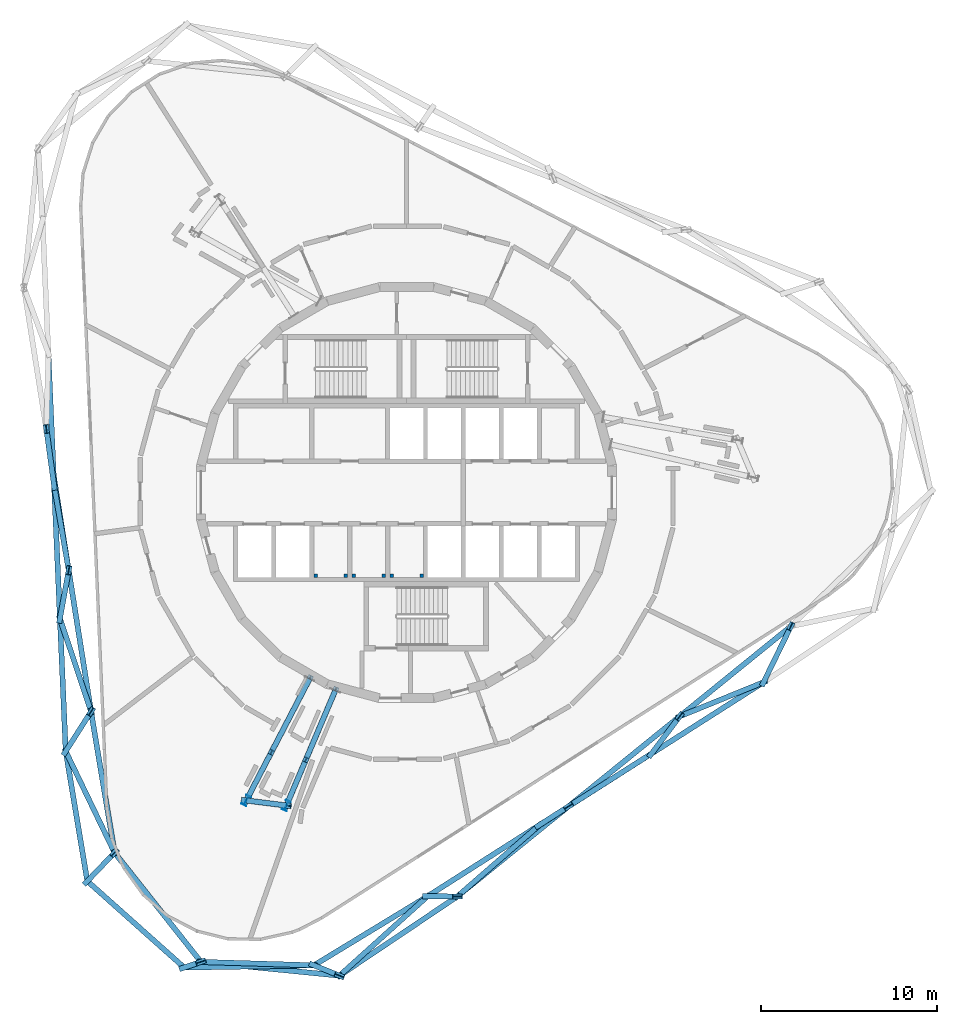
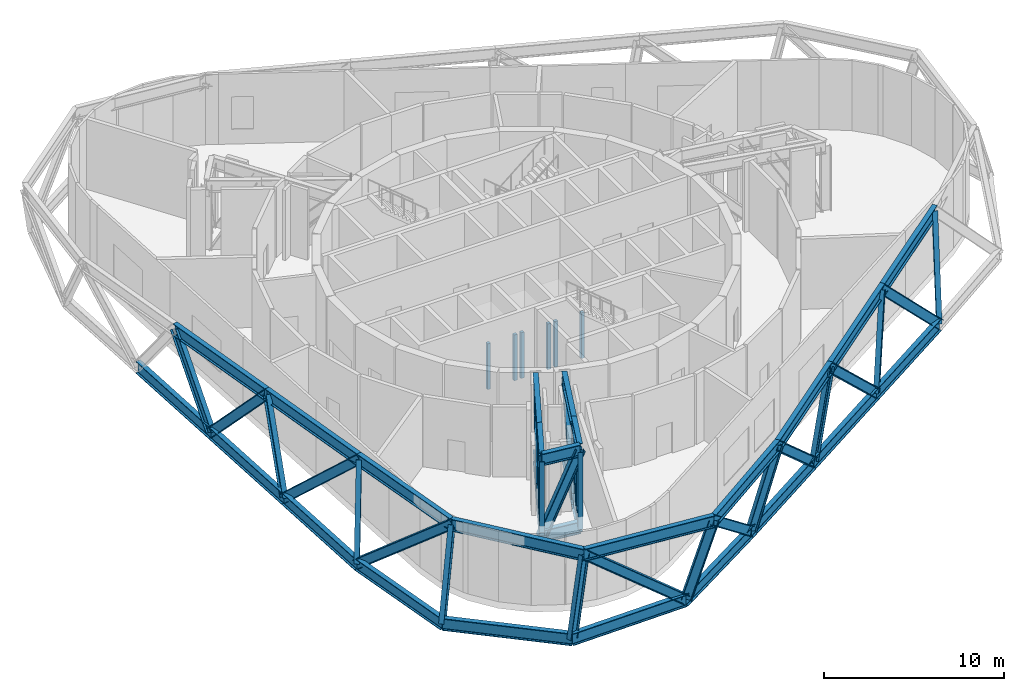
# One storey, part 1 of 12: 54 members, 6 columns.
"""IFC4 building model written with IfcOpenShell, lengths in metres."""

from ifc_helpers import new_model, si_unit, direction, frame, origin, origin_2d, place, context, subcontext, project, spatial, rectangle, i_section, extrude, material, material_profile, profile_set, type_object, element, save


model = new_model("IFC4")

# Units and contexts
model_context = context("Model", 3, precision=1e-05, world=origin(), true_north=direction((0.0, 1.0)))
body_context = subcontext(model_context, "Body", "Model", "MODEL_VIEW")
ifc_project = project(units=[si_unit("LENGTHUNIT", "METRE"), si_unit("AREAUNIT", "SQUARE_METRE"), si_unit("VOLUMEUNIT", "CUBIC_METRE"), si_unit("PLANEANGLEUNIT", "RADIAN"), si_unit("MASSUNIT", "GRAM", prefix="KILO")], contexts=[model_context])

# Site, building, storey
site_placement = place(None, origin())
site = spatial("IfcSite", under=ifc_project, at=site_placement, CompositionType="ELEMENT")
building_placement = place(site_placement, origin())
building = spatial("IfcBuilding", under=site, at=building_placement, Name="Spindle Arch Residences", CompositionType="ELEMENT")
storey_placement = place(building_placement, frame((0.0, 0.0, 258.199951171875)))
storey = spatial("IfcBuildingStorey", under=building, at=storey_placement, Name="L66", CompositionType="ELEMENT", Elevation=258.199951171875)

# Columns
ifc_material_1 = material(Name="Concrete C50/60", Category="concrete")
ifc_material_profile_1 = material_profile(ifc_material_1, rectangle(XDim=0.199951171875, YDim=0.199951171875, at=origin_2d()), Name="RC 200x200")
ifc_profile_set_1 = profile_set([ifc_material_profile_1], Name="Concrete C50/60")
column_type = type_object("IfcColumnType", Name="Pit pier 200x200", PredefinedType="COLUMN", material=ifc_profile_set_1)
for number, where, z_axis, x_axis, name in (
    (1, (-5.14990234375, -4.699951171875, 0.0), (0.0, 0.0, 1.0), (1.0, 0.0, 0.0), "Pit pier H1-1"),
    (2, (-3.449951171875, -4.699951171875, 0.0), (0.0, 0.0, 1.0), (1.0, 0.0, 0.0), "Pit pier H1-2"),
    (3, (-3.0, -4.699951171875, 0.0), (0.0, 0.0, 1.0), (1.0, 0.0, 0.0), "Pit pier H2-1"),
    (4, (-1.300048828125, -4.699951171875, 0.0), (0.0, 0.0, 1.0), (1.0, 0.0, 0.0), "Pit pier H2-2"),
    (5, (-0.85009765625, -4.699951171875, 0.0), (0.0, 0.0, 1.0), (1.0, 0.0, 0.0), "Pit pier H3-1"),
    (6, (0.85009765625, -4.699951171875, 0.0), (0.0, 0.0, 1.0), (1.0, 0.0, 0.0), "Pit pier H3-2"),
):
    element("IfcColumn", number, at=place(storey_placement, frame(where, z_axis=z_axis, x_axis=x_axis)), inside=storey, type_object=column_type, Name=name, PredefinedType="COLUMN", context=body_context, shape_type="SweptSolid", body=[
        extrude(rectangle(XDim=0.199951171875, YDim=0.199951171875, at=origin_2d()), origin(), (0.0, 0.0, 1.0), 3.10009765625),
    ])

# Members
ifc_material_2 = material(Name="Steel S460ML, intumescent coating R 240", Category="steel")
ifc_material_profile_2 = material_profile(ifc_material_2, i_section(OverallWidth=0.302978515625, OverallDepth=0.81396484375, WebThickness=0.02099609375, FlangeThickness=0.0400390625, FilletRadius=0.030029296875, at=origin_2d()), Name="HEM 800")
ifc_profile_set_2 = profile_set([ifc_material_profile_2], Name="Steel S460ML, intumescent coating R 240")
member_type_1 = type_object("IfcMemberType", Name="Belt truss chord HEM 800", PredefinedType="CHORD", material=ifc_profile_set_2)
for number, where, z_axis, x_axis, name in (
    (7, (13.885986328125, -14.78955078125, -0.85693359375), (0.843393042763, 0.537297101629, 0.0), (-0.537297101629, 0.843393042763, 0.0), "Belt truss bottom chord L66.1"),
    (8, (-20.298583984375, 7.9072265625, -0.85693359375), (0.043607469261, -0.999048741866, 0.0), (0.999048741866, 0.043607469261, 0.0), "Belt truss bottom chord L66.14"),
    (9, (-19.97021484375, 0.38427734375, -0.85693359375), (0.043639829449, -0.999047328852, 0.0), (0.999047328852, 0.043639829449, 0.0), "Belt truss bottom chord L66.15"),
    (10, (-19.6416015625, -7.138671875, -0.85693359375), (0.043607469261, -0.999048741866, 0.0), (0.999048741866, 0.043607469261, 0.0), "Belt truss bottom chord L66.16"),
):
    element("IfcMember", number, at=place(storey_placement, frame(where, z_axis=z_axis, x_axis=x_axis)), inside=storey, type_object=member_type_1, Name=name, PredefinedType="CHORD", context=body_context, shape_type="SweptSolid", body=[
        extrude(i_section(OverallWidth=0.302978515625, OverallDepth=0.81396484375, WebThickness=0.02099609375, FlangeThickness=0.0400390625, FilletRadius=0.030029296875, at=origin_2d()), origin(), (0.0, 0.0, 1.0), 7.530029296875),
    ])
member_1_placement = place(storey_placement, frame((-19.313232421875, -14.66162109375, -0.85693359375), z_axis=(0.164181276157, -0.986430184331, 0.0), x_axis=(0.986430184331, 0.164181276157, 0.0)))
element("IfcMember", 11, at=member_1_placement, inside=storey, type_object=member_type_1, Name="Belt truss bottom chord L66.17", PredefinedType="CHORD", context=body_context, shape_type="SweptSolid", body=[
    extrude(i_section(OverallWidth=0.302978515625, OverallDepth=0.81396484375, WebThickness=0.02099609375, FlangeThickness=0.0400390625, FilletRadius=0.030029296875, at=origin_2d()), origin(), (0.0, 0.0, 1.0), 7.455810546875),
])
for number, where, z_axis, x_axis, name in (
    (12, (-18.089111328125, -22.016357421875, -0.85693359375), (0.746197856077, -0.665724236892, 0.0), (0.665724236892, 0.746197856077, 0.0), "Belt truss bottom chord L66.18"),
    (13, (-12.599365234375, -26.9140625, -0.85693359375), (0.999854520031, 0.017056927424, 0.0), (-0.017056927424, 0.999854520031, 0.0), "Belt truss bottom chord L66.19"),
):
    element("IfcMember", number, at=place(storey_placement, frame(where, z_axis=z_axis, x_axis=x_axis)), inside=storey, type_object=member_type_1, Name=name, PredefinedType="CHORD", context=body_context, shape_type="SweptSolid", body=[
        extrude(i_section(OverallWidth=0.302978515625, OverallDepth=0.81396484375, WebThickness=0.02099609375, FlangeThickness=0.0400390625, FilletRadius=0.030029296875, at=origin_2d()), origin(), (0.0, 0.0, 1.0), 7.35693359375),
    ])
member_2_placement = place(storey_placement, frame((-5.243408203125, -26.78857421875, -0.85693359375), z_axis=(0.854520529172, 0.519417621211, 0.0), x_axis=(-0.519417621211, 0.854520529172, 0.0)))
element("IfcMember", 14, at=member_2_placement, inside=storey, type_object=member_type_1, Name="Belt truss bottom chord L66.20", PredefinedType="CHORD", context=body_context, shape_type="SweptSolid", body=[
    extrude(i_section(OverallWidth=0.302978515625, OverallDepth=0.81396484375, WebThickness=0.02099609375, FlangeThickness=0.0400390625, FilletRadius=0.030029296875, at=origin_2d()), origin(), (0.0, 0.0, 1.0), 7.522216796875),
])
member_3_placement = place(storey_placement, frame((1.1845703125, -22.88134765625, -0.85693359375), z_axis=(0.843393042763, 0.537297101629, 0.0), x_axis=(-0.537297101629, 0.843393042763, 0.0)))
element("IfcMember", 15, at=member_3_placement, inside=storey, type_object=member_type_1, Name="Belt truss bottom chord L66.21", PredefinedType="CHORD", context=body_context, shape_type="SweptSolid", body=[
    extrude(i_section(OverallWidth=0.302978515625, OverallDepth=0.81396484375, WebThickness=0.02099609375, FlangeThickness=0.0400390625, FilletRadius=0.030029296875, at=origin_2d()), origin(), (0.0, 0.0, 1.0), 7.530029296875),
])
member_4_placement = place(storey_placement, frame((7.535400390625, -18.83544921875, -0.85693359375), z_axis=(0.843383682536, 0.537311794056, 0.0), x_axis=(-0.537311794056, 0.843383682536, 0.0)))
element("IfcMember", 16, at=member_4_placement, inside=storey, type_object=member_type_1, Name="Belt truss bottom chord L66.22", PredefinedType="CHORD", context=body_context, shape_type="SweptSolid", body=[
    extrude(i_section(OverallWidth=0.302978515625, OverallDepth=0.81396484375, WebThickness=0.02099609375, FlangeThickness=0.0400390625, FilletRadius=0.030029296875, at=origin_2d()), origin(), (0.0, 0.0, 1.0), 7.52978515625),
])
for number, where, z_axis, x_axis, name in (
    (17, (15.48291015625, -12.67822265625, 4.343017578125), (0.777144581934, 0.629322094615, 0.0), (-0.629322094615, 0.777144581934, 0.0), "Belt truss top chord L66.1"),
    (18, (-20.412353515625, 3.607666015625, 4.343017578125), (0.156463557124, -0.987683732423, 0.0), (0.987683732423, 0.156463557124, 0.0), "Belt truss top chord L66.13"),
    (19, (-19.143798828125, -4.400146484375, 4.343017578125), (0.156434181782, -0.987688385459, 0.0), (0.987688385459, 0.156434181782, 0.0), "Belt truss top chord L66.14"),
):
    element("IfcMember", number, at=place(storey_placement, frame(where, z_axis=z_axis, x_axis=x_axis)), inside=storey, type_object=member_type_1, Name=name, PredefinedType="CHORD", context=body_context, shape_type="SweptSolid", body=[
        extrude(i_section(OverallWidth=0.302978515625, OverallDepth=0.81396484375, WebThickness=0.02099609375, FlangeThickness=0.0400390625, FilletRadius=0.030029296875, at=origin_2d()), origin(), (0.0, 0.0, 1.0), 8.107666015625),
    ])
member_5_placement = place(storey_placement, frame((-17.87548828125, -12.407958984375, 4.343017578125), z_axis=(0.163944723379, -0.986469526988, 0.0), x_axis=(0.986469526988, 0.163944723379, 0.0)))
element("IfcMember", 20, at=member_5_placement, inside=storey, type_object=member_type_1, Name="Belt truss top chord L66.15", PredefinedType="CHORD", context=body_context, shape_type="SweptSolid", body=[
    extrude(i_section(OverallWidth=0.302978515625, OverallDepth=0.81396484375, WebThickness=0.02099609375, FlangeThickness=0.0400390625, FilletRadius=0.030029296875, at=origin_2d()), origin(), (0.0, 0.0, 1.0), 8.10546875),
])
member_6_placement = place(storey_placement, frame((-16.546630859375, -20.40380859375, 4.343017578125), z_axis=(0.62028604963, -0.784375685902, 0.0), x_axis=(0.784375685902, 0.62028604963, 0.0)))
element("IfcMember", 21, at=member_6_placement, inside=storey, type_object=member_type_1, Name="Belt truss top chord L66.16", PredefinedType="CHORD", context=body_context, shape_type="SweptSolid", body=[
    extrude(i_section(OverallWidth=0.302978515625, OverallDepth=0.81396484375, WebThickness=0.02099609375, FlangeThickness=0.0400390625, FilletRadius=0.030029296875, at=origin_2d()), origin(), (0.0, 0.0, 1.0), 7.8916015625),
])
member_7_placement = place(storey_placement, frame((-11.651611328125, -26.59375, 4.343017578125), z_axis=(0.995109517172, -0.098777774997, 0.0), x_axis=(0.098777774997, 0.995109517172, 0.0)))
element("IfcMember", 22, at=member_7_placement, inside=storey, type_object=member_type_1, Name="Belt truss top chord L66.17", PredefinedType="CHORD", context=body_context, shape_type="SweptSolid", body=[
    extrude(i_section(OverallWidth=0.302978515625, OverallDepth=0.81396484375, WebThickness=0.02099609375, FlangeThickness=0.0400390625, FilletRadius=0.030029296875, at=origin_2d()), origin(), (0.0, 0.0, 1.0), 7.891845703125),
])
member_8_placement = place(storey_placement, frame((-3.79833984375, -27.373291015625, 4.343017578125), z_axis=(0.829902137113, 0.557908991517, 0.0), x_axis=(-0.557908991517, 0.829902137113, 0.0)))
element("IfcMember", 23, at=member_8_placement, inside=storey, type_object=member_type_1, Name="Belt truss top chord L66.18", PredefinedType="CHORD", context=body_context, shape_type="SweptSolid", body=[
    extrude(i_section(OverallWidth=0.302978515625, OverallDepth=0.81396484375, WebThickness=0.02099609375, FlangeThickness=0.0400390625, FilletRadius=0.030029296875, at=origin_2d()), origin(), (0.0, 0.0, 1.0), 8.048828125),
])
for number, where, z_axis, x_axis, name in (
    (24, (2.88134765625, -22.8828125, 4.343017578125), (0.777144581934, 0.629322094615, 0.0), (-0.629322094615, 0.777144581934, 0.0), "Belt truss top chord L66.19"),
    (25, (9.18212890625, -17.780517578125, 4.343017578125), (0.777144581934, 0.629322094615, 0.0), (-0.629322094615, 0.777144581934, 0.0), "Belt truss top chord L66.20"),
):
    element("IfcMember", number, at=place(storey_placement, frame(where, z_axis=z_axis, x_axis=x_axis)), inside=storey, type_object=member_type_1, Name=name, PredefinedType="CHORD", context=body_context, shape_type="SweptSolid", body=[
        extrude(i_section(OverallWidth=0.302978515625, OverallDepth=0.81396484375, WebThickness=0.02099609375, FlangeThickness=0.0400390625, FilletRadius=0.030029296875, at=origin_2d()), origin(), (0.0, 0.0, 1.0), 8.107666015625),
    ])
ifc_material_3 = material(Name="Steel S460ML, intumescent coating R 240", Category="steel")
ifc_material_profile_3 = material_profile(ifc_material_3, i_section(OverallWidth=0.300048828125, OverallDepth=0.60009765625, WebThickness=0.015380859375, FlangeThickness=0.030029296875, FilletRadius=0.027099609375, at=origin_2d()), Name="HEB 600")
ifc_profile_set_3 = profile_set([ifc_material_profile_3], Name="Steel S460ML, intumescent coating R 240")
member_type_2 = type_object("IfcMemberType", Name="Belt truss diagonal HEB 600", PredefinedType="BRACE", material=ifc_profile_set_3)
member_9_placement = place(storey_placement, frame((13.885986328125, -14.78955078125, -0.85693359375), z_axis=(0.27367961612, 0.36183784134, 0.891163758405), x_axis=(-0.797558682919, 0.603241367365, 0.0)))
element("IfcMember", 26, at=member_9_placement, inside=storey, type_object=member_type_2, Name="Belt truss diagonal L66.1.1", PredefinedType="BRACE", context=body_context, shape_type="SweptSolid", body=[
    extrude(i_section(OverallWidth=0.300048828125, OverallDepth=0.60009765625, WebThickness=0.015380859375, FlangeThickness=0.030029296875, FilletRadius=0.027099609375, at=origin_2d()), origin(), (0.0, 0.0, 1.0), 5.8349609375),
])
member_10_placement = place(storey_placement, frame((20.23681640625, -10.74365234375, -0.85693359375), z_axis=(-0.650660582622, -0.264781966757, 0.711710135028), x_axis=(0.376928178074, -0.926242489078, 0.0)))
element("IfcMember", 27, at=member_10_placement, inside=storey, type_object=member_type_2, Name="Belt truss diagonal L66.1.2", PredefinedType="BRACE", context=body_context, shape_type="SweptSolid", body=[
    extrude(i_section(OverallWidth=0.300048828125, OverallDepth=0.60009765625, WebThickness=0.015380859375, FlangeThickness=0.030029296875, FilletRadius=0.027099609375, at=origin_2d()), origin(), (0.0, 0.0, 1.0), 7.306396484375),
])
member_11_placement = place(storey_placement, frame((20.23681640625, -10.74365234375, -0.85693359375), z_axis=(0.246229054864, 0.504233268129, 0.82771979791), x_axis=(-0.898584662737, 0.438800186752, 0.0)))
element("IfcMember", 28, at=member_11_placement, inside=storey, type_object=member_type_2, Name="Belt truss diagonal L66.2.2", PredefinedType="BRACE", context=body_context, shape_type="SweptSolid", body=[
    extrude(i_section(OverallWidth=0.300048828125, OverallDepth=0.60009765625, WebThickness=0.015380859375, FlangeThickness=0.030029296875, FilletRadius=0.027099609375, at=origin_2d()), origin(), (0.0, 0.0, 1.0), 6.2822265625),
])
member_12_placement = place(storey_placement, frame((-19.97021484375, 0.38427734375, -0.85693359375), z_axis=(-0.072080703536, 0.525500568073, 0.847734348208), x_axis=(-0.990723468591, -0.135893372841, 0.0)))
element("IfcMember", 29, at=member_12_placement, inside=storey, type_object=member_type_2, Name="Belt truss diagonal L66.13.15", PredefinedType="BRACE", context=body_context, shape_type="SweptSolid", body=[
    extrude(i_section(OverallWidth=0.300048828125, OverallDepth=0.60009765625, WebThickness=0.015380859375, FlangeThickness=0.030029296875, FilletRadius=0.027099609375, at=origin_2d()), origin(), (0.0, 0.0, 1.0), 6.134033203125),
])
member_13_placement = place(storey_placement, frame((-19.97021484375, 0.38427734375, -0.85693359375), z_axis=(0.116162772393, -0.672508670779, 0.73091606771), x_axis=(0.985407811345, 0.170210003644, 0.0)))
element("IfcMember", 30, at=member_13_placement, inside=storey, type_object=member_type_2, Name="Belt truss diagonal L66.14.15", PredefinedType="BRACE", context=body_context, shape_type="SweptSolid", body=[
    extrude(i_section(OverallWidth=0.300048828125, OverallDepth=0.60009765625, WebThickness=0.015380859375, FlangeThickness=0.030029296875, FilletRadius=0.027099609375, at=origin_2d()), origin(), (0.0, 0.0, 1.0), 7.1142578125),
])
member_14_placement = place(storey_placement, frame((-19.6416015625, -7.138671875, -0.85693359375), z_axis=(0.084401449683, 0.464311457132, 0.881641234328), x_axis=(-0.983876926384, 0.178846844334, 0.0)))
element("IfcMember", 31, at=member_14_placement, inside=storey, type_object=member_type_2, Name="Belt truss diagonal L66.14.16", PredefinedType="BRACE", context=body_context, shape_type="SweptSolid", body=[
    extrude(i_section(OverallWidth=0.300048828125, OverallDepth=0.60009765625, WebThickness=0.015380859375, FlangeThickness=0.030029296875, FilletRadius=0.027099609375, at=origin_2d()), origin(), (0.0, 0.0, 1.0), 5.89794921875),
])
member_15_placement = place(storey_placement, frame((-19.6416015625, -7.138671875, -0.85693359375), z_axis=(0.232054050268, -0.692344839223, 0.683234616625), x_axis=(0.948159224751, 0.317795664729, 0.0)))
element("IfcMember", 32, at=member_15_placement, inside=storey, type_object=member_type_2, Name="Belt truss diagonal L66.15.16", PredefinedType="BRACE", context=body_context, shape_type="SweptSolid", body=[
    extrude(i_section(OverallWidth=0.300048828125, OverallDepth=0.60009765625, WebThickness=0.015380859375, FlangeThickness=0.030029296875, FilletRadius=0.027099609375, at=origin_2d()), origin(), (0.0, 0.0, 1.0), 7.61083984375),
])
member_16_placement = place(storey_placement, frame((-19.313232421875, -14.66162109375, -0.85693359375), z_axis=(0.245900858805, 0.385449283008, 0.889360229529), x_axis=(-0.843051730945, 0.537832482238, 0.0)))
element("IfcMember", 33, at=member_16_placement, inside=storey, type_object=member_type_2, Name="Belt truss diagonal L66.15.17", PredefinedType="BRACE", context=body_context, shape_type="SweptSolid", body=[
    extrude(i_section(OverallWidth=0.300048828125, OverallDepth=0.60009765625, WebThickness=0.015380859375, FlangeThickness=0.030029296875, FilletRadius=0.027099609375, at=origin_2d()), origin(), (0.0, 0.0, 1.0), 5.846923828125),
])
member_17_placement = place(storey_placement, frame((-19.313232421875, -14.66162109375, -0.85693359375), z_axis=(0.336325985338, -0.698057463392, 0.632139707176), x_axis=(0.900888521337, 0.434050540978, 0.0)))
element("IfcMember", 34, at=member_17_placement, inside=storey, type_object=member_type_2, Name="Belt truss diagonal L66.16.17", PredefinedType="BRACE", context=body_context, shape_type="SweptSolid", body=[
    extrude(i_section(OverallWidth=0.300048828125, OverallDepth=0.60009765625, WebThickness=0.015380859375, FlangeThickness=0.030029296875, FilletRadius=0.027099609375, at=origin_2d()), origin(), (0.0, 0.0, 1.0), 8.22607421875),
])
member_18_placement = place(storey_placement, frame((-18.089111328125, -22.016357421875, -0.85693359375), z_axis=(0.272593464619, 0.284976232005, 0.918956663962), x_axis=(-0.72263235283, 0.691232582162, 0.0)))
element("IfcMember", 35, at=member_18_placement, inside=storey, type_object=member_type_2, Name="Belt truss diagonal L66.16.18", PredefinedType="BRACE", context=body_context, shape_type="SweptSolid", body=[
    extrude(i_section(OverallWidth=0.300048828125, OverallDepth=0.60009765625, WebThickness=0.015380859375, FlangeThickness=0.030029296875, FilletRadius=0.027099609375, at=origin_2d()), origin(), (0.0, 0.0, 1.0), 5.658447265625),
])
member_19_placement = place(storey_placement, frame((-12.599365234375, -26.9140625, -0.85693359375), z_axis=(0.178979802606, 0.060489825095, 0.981991451755), x_axis=(-0.320178443021, 0.947357252901, 0.0)))
element("IfcMember", 36, at=member_19_placement, inside=storey, type_object=member_type_2, Name="Belt truss diagonal L66.17.19", PredefinedType="BRACE", context=body_context, shape_type="SweptSolid", body=[
    extrude(i_section(OverallWidth=0.300048828125, OverallDepth=0.60009765625, WebThickness=0.015380859375, FlangeThickness=0.030029296875, FilletRadius=0.027099609375, at=origin_2d()), origin(), (0.0, 0.0, 1.0), 5.29541015625),
])
member_20_placement = place(storey_placement, frame((-5.243408203125, -26.78857421875, -0.85693359375), z_axis=(-0.776295711761, 0.023601187823, 0.629926941664), x_axis=(-0.030388275656, -0.999538169708, 0.0)))
element("IfcMember", 37, at=member_20_placement, inside=storey, type_object=member_type_2, Name="Belt truss diagonal L66.17.20", PredefinedType="BRACE", context=body_context, shape_type="SweptSolid", body=[
    extrude(i_section(OverallWidth=0.300048828125, OverallDepth=0.60009765625, WebThickness=0.015380859375, FlangeThickness=0.030029296875, FilletRadius=0.027099609375, at=origin_2d()), origin(), (0.0, 0.0, 1.0), 8.2548828125),
])
member_21_placement = place(storey_placement, frame((-5.243408203125, -26.78857421875, -0.85693359375), z_axis=(0.266195806119, -0.107710585514, 0.957882154846), x_axis=(0.375087024666, 0.926989602923, 0.0)))
element("IfcMember", 38, at=member_21_placement, inside=storey, type_object=member_type_2, Name="Belt truss diagonal L66.18.20", PredefinedType="BRACE", context=body_context, shape_type="SweptSolid", body=[
    extrude(i_section(OverallWidth=0.300048828125, OverallDepth=0.60009765625, WebThickness=0.015380859375, FlangeThickness=0.030029296875, FilletRadius=0.027099609375, at=origin_2d()), origin(), (0.0, 0.0, 1.0), 5.4287109375),
])
member_22_placement = place(storey_placement, frame((1.1845703125, -22.88134765625, -0.85693359375), z_axis=(-0.587052295833, -0.529209955465, 0.612622579566), x_axis=(0.669567685825, -0.742751044496, 0.0)))
element("IfcMember", 39, at=member_22_placement, inside=storey, type_object=member_type_2, Name="Belt truss diagonal L66.18.21", PredefinedType="BRACE", context=body_context, shape_type="SweptSolid", body=[
    extrude(i_section(OverallWidth=0.300048828125, OverallDepth=0.60009765625, WebThickness=0.015380859375, FlangeThickness=0.030029296875, FilletRadius=0.027099609375, at=origin_2d()), origin(), (0.0, 0.0, 1.0), 8.488037109375),
])
member_23_placement = place(storey_placement, frame((1.1845703125, -22.88134765625, -0.85693359375), z_axis=(0.310209149175, -0.00026780646, 0.950668297593), x_axis=(0.000863309031, 0.999999627349, 0.0)))
element("IfcMember", 40, at=member_23_placement, inside=storey, type_object=member_type_2, Name="Belt truss diagonal L66.19.21", PredefinedType="BRACE", context=body_context, shape_type="SweptSolid", body=[
    extrude(i_section(OverallWidth=0.300048828125, OverallDepth=0.60009765625, WebThickness=0.015380859375, FlangeThickness=0.030029296875, FilletRadius=0.027099609375, at=origin_2d()), origin(), (0.0, 0.0, 1.0), 5.4697265625),
])
member_24_placement = place(storey_placement, frame((7.535400390625, -18.83544921875, -0.85693359375), z_axis=(-0.576905522637, -0.501701712966, 0.644573819789), x_axis=(0.656212034139, -0.754576547641, 0.0)))
element("IfcMember", 41, at=member_24_placement, inside=storey, type_object=member_type_2, Name="Belt truss diagonal L66.19.22", PredefinedType="BRACE", context=body_context, shape_type="SweptSolid", body=[
    extrude(i_section(OverallWidth=0.300048828125, OverallDepth=0.60009765625, WebThickness=0.015380859375, FlangeThickness=0.030029296875, FilletRadius=0.027099609375, at=origin_2d()), origin(), (0.0, 0.0, 1.0), 8.0673828125),
])
member_25_placement = place(storey_placement, frame((7.535400390625, -18.83544921875, -0.85693359375), z_axis=(0.296411659916, 0.189888032987, 0.935992875397), x_axis=(-0.539425607672, 0.842033261687, 0.0)))
element("IfcMember", 42, at=member_25_placement, inside=storey, type_object=member_type_2, Name="Belt truss diagonal L66.20.22", PredefinedType="BRACE", context=body_context, shape_type="SweptSolid", body=[
    extrude(i_section(OverallWidth=0.300048828125, OverallDepth=0.60009765625, WebThickness=0.015380859375, FlangeThickness=0.030029296875, FilletRadius=0.027099609375, at=origin_2d()), origin(), (0.0, 0.0, 1.0), 5.5556640625),
])
member_26_placement = place(storey_placement, frame((13.885986328125, -14.78955078125, -0.85693359375), z_axis=(-0.617053114841, -0.392355722734, 0.682130808792), x_axis=(0.536569386083, -0.843856204527, 0.0)))
element("IfcMember", 43, at=member_26_placement, inside=storey, type_object=member_type_2, Name="Belt truss diagonal L66.20.1", PredefinedType="BRACE", context=body_context, shape_type="SweptSolid", body=[
    extrude(i_section(OverallWidth=0.300048828125, OverallDepth=0.60009765625, WebThickness=0.015380859375, FlangeThickness=0.030029296875, FilletRadius=0.027099609375, at=origin_2d()), origin(), (0.0, 0.0, 1.0), 7.623046875),
])
ifc_material_4 = material(Name="Steel S460ML, intumescent coating R 240", Category="steel")
ifc_material_profile_4 = material_profile(ifc_material_4, i_section(OverallWidth=0.302978515625, OverallDepth=0.81396484375, WebThickness=0.02099609375, FlangeThickness=0.0400390625, FilletRadius=0.030029296875, at=origin_2d()), Name="HEM 800")
ifc_profile_set_4 = profile_set([ifc_material_profile_4], Name="Steel S460ML, intumescent coating R 240")
member_type_3 = type_object("IfcMemberType", Name="Transfer truss chord HEM 800", PredefinedType="CHORD", material=ifc_profile_set_4)
for number, where, z_axis, x_axis, name in (
    (44, (-5.498779296875, -10.56298828125, -0.85693359375), (-0.461747311325, -0.887011510909, 0.0), (0.887011510909, -0.461747311325, 0.0), "Transfer truss chord L66"),
    (45, (-5.498779296875, -10.56298828125, 4.343017578125), (-0.461747311325, -0.887011510909, 0.0), (0.887011510909, -0.461747311325, 0.0), "Transfer truss chord L66"),
):
    element("IfcMember", number, at=place(storey_placement, frame(where, z_axis=z_axis, x_axis=x_axis)), inside=storey, type_object=member_type_3, Name=name, PredefinedType="CHORD", context=body_context, shape_type="SweptSolid", body=[
        extrude(i_section(OverallWidth=0.302978515625, OverallDepth=0.81396484375, WebThickness=0.02099609375, FlangeThickness=0.0400390625, FilletRadius=0.030029296875, at=origin_2d()), origin(), (0.0, 0.0, 1.0), 4.8115234375),
    ])
for number, where, z_axis, x_axis, name in (
    (46, (-7.720458984375, -14.830810546875, -0.85693359375), (-0.461759374134, -0.887005231326, 0.0), (0.887005231326, -0.461759374134, 0.0), "Transfer truss chord L66"),
    (47, (-7.720458984375, -14.830810546875, 4.343017578125), (-0.461759374134, -0.887005231326, 0.0), (0.887005231326, -0.461759374134, 0.0), "Transfer truss chord L66"),
):
    element("IfcMember", number, at=place(storey_placement, frame(where, z_axis=z_axis, x_axis=x_axis)), inside=storey, type_object=member_type_3, Name=name, PredefinedType="CHORD", context=body_context, shape_type="SweptSolid", body=[
        extrude(i_section(OverallWidth=0.302978515625, OverallDepth=0.81396484375, WebThickness=0.02099609375, FlangeThickness=0.0400390625, FilletRadius=0.030029296875, at=origin_2d()), origin(), (0.0, 0.0, 1.0), 2.94873046875),
    ])
for number, where, z_axis, x_axis, name in (
    (48, (-9.08203125, -17.4462890625, -0.85693359375), (0.992225376088, -0.124454019812, 0.0), (0.124454019812, 0.992225376088, 0.0), "Transfer truss chord L66"),
    (49, (-9.08203125, -17.4462890625, 4.343017578125), (0.992225376088, -0.124454019812, 0.0), (0.124454019812, 0.992225376088, 0.0), "Transfer truss chord L66"),
):
    element("IfcMember", number, at=place(storey_placement, frame(where, z_axis=z_axis, x_axis=x_axis)), inside=storey, type_object=member_type_3, Name=name, PredefinedType="CHORD", context=body_context, shape_type="SweptSolid", body=[
        extrude(i_section(OverallWidth=0.302978515625, OverallDepth=0.81396484375, WebThickness=0.02099609375, FlangeThickness=0.0400390625, FilletRadius=0.030029296875, at=origin_2d()), origin(), (0.0, 0.0, 1.0), 2.293212890625),
    ])
for number, where, z_axis, x_axis, name in (
    (50, (-4.045654296875, -11.23291015625, -0.85693359375), (-0.390989479864, -0.920395147008, 0.0), (0.920395147008, -0.390989479864, 0.0), "Transfer truss chord L66"),
    (51, (-4.045654296875, -11.23291015625, 4.343017578125), (-0.390989479864, -0.920395147008, 0.0), (0.920395147008, -0.390989479864, 0.0), "Transfer truss chord L66"),
):
    element("IfcMember", number, at=place(storey_placement, frame(where, z_axis=z_axis, x_axis=x_axis)), inside=storey, type_object=member_type_3, Name=name, PredefinedType="CHORD", context=body_context, shape_type="SweptSolid", body=[
        extrude(i_section(OverallWidth=0.302978515625, OverallDepth=0.81396484375, WebThickness=0.02099609375, FlangeThickness=0.0400390625, FilletRadius=0.030029296875, at=origin_2d()), origin(), (0.0, 0.0, 1.0), 4.377685546875),
    ])
for number, where, z_axis, x_axis, name in (
    (52, (-5.75732421875, -15.26220703125, -0.85693359375), (-0.391073203928, -0.920359576019, 0.0), (0.920359576019, -0.391073203928, 0.0), "Transfer truss chord L66"),
    (53, (-5.75732421875, -15.26220703125, 4.343017578125), (-0.391073203928, -0.920359576019, 0.0), (0.920359576019, -0.391073203928, 0.0), "Transfer truss chord L66"),
):
    element("IfcMember", number, at=place(storey_placement, frame(where, z_axis=z_axis, x_axis=x_axis)), inside=storey, type_object=member_type_3, Name=name, PredefinedType="CHORD", context=body_context, shape_type="SweptSolid", body=[
        extrude(i_section(OverallWidth=0.302978515625, OverallDepth=0.81396484375, WebThickness=0.02099609375, FlangeThickness=0.0400390625, FilletRadius=0.030029296875, at=origin_2d()), origin(), (0.0, 0.0, 1.0), 2.68310546875),
    ])
ifc_material_5 = material(Name="Steel S460ML, intumescent coating R 240", Category="steel")
ifc_material_profile_5 = material_profile(ifc_material_5, i_section(OverallWidth=0.304931640625, OverallDepth=0.6201171875, WebThickness=0.02099609375, FlangeThickness=0.0400390625, FilletRadius=0.027099609375, at=origin_2d()), Name="HEM 600")
ifc_profile_set_5 = profile_set([ifc_material_profile_5], Name="Steel S460ML, intumescent coating R 240")
member_type_4 = type_object("IfcMemberType", Name="Transfer truss diagonal HEM 600", PredefinedType="BRACE", material=ifc_profile_set_5)
member_27_placement = place(storey_placement, frame((-7.720458984375, -14.830810546875, -0.85693359375), z_axis=(0.313598746995, 0.602419746838, 0.733993374972), x_axis=(-0.887011510909, 0.461747311325, 0.0)))
element("IfcMember", 54, at=member_27_placement, inside=storey, type_object=member_type_4, Name="Transfer truss diagonal L66", PredefinedType="BRACE", context=body_context, shape_type="SweptSolid", body=[
    extrude(i_section(OverallWidth=0.304931640625, OverallDepth=0.6201171875, WebThickness=0.02099609375, FlangeThickness=0.0400390625, FilletRadius=0.027099609375, at=origin_2d()), origin(), (0.0, 0.0, 1.0), 7.08447265625),
])
member_28_placement = place(storey_placement, frame((-9.08203125, -17.4462890625, -0.85693359375), z_axis=(0.22777144544, 0.437531915904, 0.869876997746), x_axis=(-0.887005231326, 0.461759374134, 0.0)))
element("IfcMember", 55, at=member_28_placement, inside=storey, type_object=member_type_4, Name="Transfer truss diagonal L66", PredefinedType="BRACE", context=body_context, shape_type="SweptSolid", body=[
    extrude(i_section(OverallWidth=0.304931640625, OverallDepth=0.6201171875, WebThickness=0.02099609375, FlangeThickness=0.0400390625, FilletRadius=0.027099609375, at=origin_2d()), origin(), (0.0, 0.0, 1.0), 5.977783203125),
])
member_29_placement = place(storey_placement, frame((-9.08203125, -17.4462890625, -0.85693359375), z_axis=(0.40037394671, -0.050218577651, 0.91497475225), x_axis=(0.124454019812, 0.992225376088, 0.0)))
element("IfcMember", 56, at=member_29_placement, inside=storey, type_object=member_type_4, Name="Transfer truss diagonal L66", PredefinedType="BRACE", context=body_context, shape_type="SweptSolid", body=[
    extrude(i_section(OverallWidth=0.304931640625, OverallDepth=0.6201171875, WebThickness=0.02099609375, FlangeThickness=0.0400390625, FilletRadius=0.027099609375, at=origin_2d()), origin(), (0.0, 0.0, 1.0), 5.68310546875),
])
member_30_placement = place(storey_placement, frame((-5.75732421875, -15.26220703125, -0.85693359375), z_axis=(0.251812738715, 0.592770994116, 0.764992086989), x_axis=(-0.920395147008, 0.390989479864, 0.0)))
element("IfcMember", 57, at=member_30_placement, inside=storey, type_object=member_type_4, Name="Transfer truss diagonal L66", PredefinedType="BRACE", context=body_context, shape_type="SweptSolid", body=[
    extrude(i_section(OverallWidth=0.304931640625, OverallDepth=0.6201171875, WebThickness=0.02099609375, FlangeThickness=0.0400390625, FilletRadius=0.027099609375, at=origin_2d()), origin(), (0.0, 0.0, 1.0), 6.79736328125),
])
member_31_placement = place(storey_placement, frame((-6.806640625, -17.731689453125, -0.85693359375), z_axis=(0.179327361231, 0.422032633515, 0.888667628398), x_axis=(-0.920359576019, 0.391073203928, 0.0)))
element("IfcMember", 58, at=member_31_placement, inside=storey, type_object=member_type_4, Name="Transfer truss diagonal L66", PredefinedType="BRACE", context=body_context, shape_type="SweptSolid", body=[
    extrude(i_section(OverallWidth=0.304931640625, OverallDepth=0.6201171875, WebThickness=0.02099609375, FlangeThickness=0.0400390625, FilletRadius=0.027099609375, at=origin_2d()), origin(), (0.0, 0.0, 1.0), 5.851318359375),
])
ifc_material_6 = material(Name="Steel S460ML, intumescent coating R 240", Category="steel")
ifc_material_profile_6 = material_profile(ifc_material_6, i_section(OverallWidth=0.300048828125, OverallDepth=0.60009765625, WebThickness=0.015380859375, FlangeThickness=0.030029296875, FilletRadius=0.027099609375, at=origin_2d()), Name="HEB 600")
ifc_profile_set_6 = profile_set([ifc_material_profile_6], Name="Steel S460ML, intumescent coating R 240")
member_type_5 = type_object("IfcMemberType", Name="Transfer truss post HEB 600", PredefinedType="POST", material=ifc_profile_set_6)
member_32_placement = place(storey_placement, frame((-9.08203125, -17.4462890625, -0.449951171875), z_axis=(0.0, 0.0, 1.0), x_axis=(-0.887010186263, 0.461749855946, 0.0)))
element("IfcMember", 59, at=member_32_placement, inside=storey, type_object=member_type_5, Name="Transfer truss post L66", PredefinedType="POST", context=body_context, shape_type="SweptSolid", body=[
    extrude(i_section(OverallWidth=0.300048828125, OverallDepth=0.60009765625, WebThickness=0.015380859375, FlangeThickness=0.030029296875, FilletRadius=0.027099609375, at=origin_2d()), origin(), (0.0, 0.0, 1.0), 4.79296875),
])
member_33_placement = place(storey_placement, frame((-6.806640625, -17.731689453125, -0.85693359375), z_axis=(0.0, 0.0, 1.0), x_axis=(-0.920381713569, 0.391021100873, 0.0)))
element("IfcMember", 60, at=member_33_placement, inside=storey, type_object=member_type_5, Name="Transfer truss post L66", PredefinedType="POST", context=body_context, shape_type="SweptSolid", body=[
    extrude(i_section(OverallWidth=0.300048828125, OverallDepth=0.60009765625, WebThickness=0.015380859375, FlangeThickness=0.030029296875, FilletRadius=0.027099609375, at=origin_2d()), origin(), (0.0, 0.0, 1.0), 5.199951171875),
])

save(model, "model.ifc")
